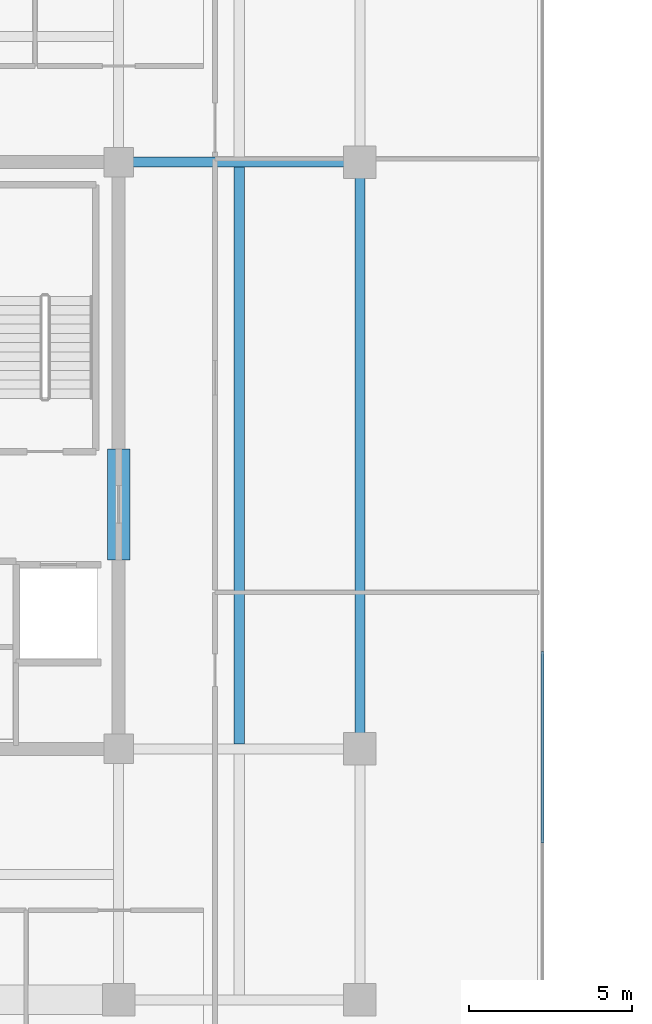
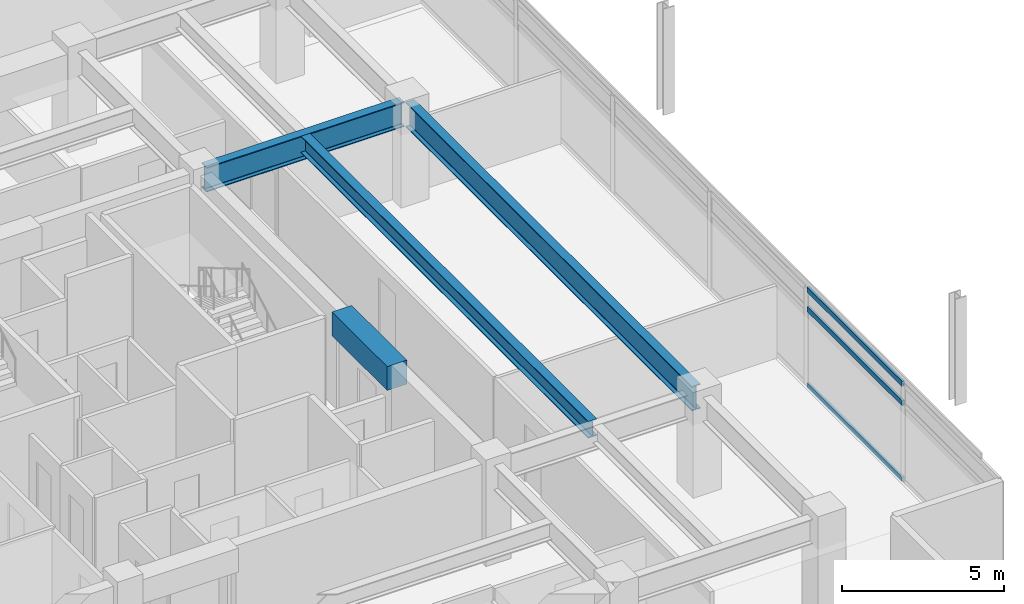
# One storey, part 6 of 18: 4 beams, 3 members, 1 element without a shape of its own.
"""IFC4 building model written with IfcOpenShell, lengths in metres."""

import ifcopenshell
import ifcopenshell.guid

model = None  # the IFC model being written
_history = None  # IfcOwnerHistory: only IFC2X3 demands one
_inside = {}  # id of a spatial element -> (the spatial element, [elements in it])
_under = {}  # id of a project, library or spatial element -> (it, [spatial elements below it])
_declared = {}  # id of a project -> (the project, [libraries it declares])
_typed = {}  # id of a type object -> (the type object, [elements of that type])
_made_of = {}  # id of a material, layer set ... -> (it, [elements and type objects made of it])


def new_model(schema):
    """Start an empty IFC model of exactly this schema.

    Asked for "IFC4X3", IfcOpenShell would pick the latest addendum, in which some entities
    have other attributes; the version numbers below select the first issue.
    IFC2X3 requires an IfcOwnerHistory on every rooted entity: one is made here for all.
    """
    global model, _history
    if schema == "IFC4X3":
        model = ifcopenshell.file(schema_version=(4, 3, 0, 0))
    else:
        model = ifcopenshell.file(schema=schema)
    _inside.clear()
    _under.clear()
    _declared.clear()
    _typed.clear()
    _made_of.clear()
    _history = None
    if model.schema == "IFC2X3":
        org = make("IfcOrganization", Name="unknown")
        user = make(
            "IfcPersonAndOrganization",
            ThePerson=make("IfcPerson", FamilyName="unknown"),
            TheOrganization=org,
        )
        app = make(
            "IfcApplication",
            ApplicationDeveloper=org,
            Version="unknown",
            ApplicationFullName="unknown",
            ApplicationIdentifier="unknown",
        )
        _history = make(
            "IfcOwnerHistory",
            OwningUser=user,
            OwningApplication=app,
            ChangeAction="ADDED",
            CreationDate=0,
        )
    return model


def make(cls, **values):
    """One entity of the class cls with the attributes given. An attribute that is None is left unset."""
    return model.create_entity(
        cls, **{name: value for name, value in values.items() if value is not None}
    )


def rooted(cls, **values):
    """An entity with a GlobalId (a new one), such as an element, a storey or a relation."""
    return make(cls, GlobalId=ifcopenshell.guid.new(), OwnerHistory=_history, **values)


def si_unit(unit_type, name, prefix=None):
    """IfcSIUnit, for example si_unit("LENGTHUNIT", "METRE", prefix="MILLI")."""
    return make("IfcSIUnit", UnitType=unit_type, Prefix=prefix, Name=name)


def assignment(units):
    """IfcUnitAssignment: the units of a project."""
    return None if units is None else make("IfcUnitAssignment", Units=units)


def point(xyz):
    """IfcCartesianPoint."""
    return None if xyz is None else make("IfcCartesianPoint", Coordinates=xyz)


def direction(xyz):
    """IfcDirection."""
    return None if xyz is None else make("IfcDirection", DirectionRatios=xyz)


def frame(location, z_axis=None, x_axis=None):
    """IfcAxis2Placement3D, a coordinate frame: its origin and axes. An axis left out is left unset."""
    return make(
        "IfcAxis2Placement3D",
        Location=point(location),
        Axis=direction(z_axis),
        RefDirection=direction(x_axis),
    )


def frame_2d(location, x_axis=None):
    """IfcAxis2Placement2D, a coordinate frame in the plane: its origin and x axis."""
    return make(
        "IfcAxis2Placement2D", Location=point(location), RefDirection=direction(x_axis)
    )


def origin():
    """The frame at (0, 0, 0) with its axes left unset."""
    return frame((0.0, 0.0, 0.0))


def origin_2d():
    """The frame at (0, 0) in the plane with its x axis left unset."""
    return frame_2d((0.0, 0.0))


def place(relative_to, where):
    """IfcLocalPlacement: puts the frame where relative to a parent placement (None: the world)."""
    return make(
        "IfcLocalPlacement", PlacementRelTo=relative_to, RelativePlacement=where
    )


def context(
    kind, dimensions, precision=None, world=None, true_north=None, identifier=None
):
    """IfcGeometricRepresentationContext, for example the 3D "Model" context."""
    return make(
        "IfcGeometricRepresentationContext",
        ContextIdentifier=identifier,
        ContextType=kind,
        CoordinateSpaceDimension=dimensions,
        Precision=precision,
        WorldCoordinateSystem=world,
        TrueNorth=true_north,
    )


def subcontext(parent, identifier, kind, view, scale=None):
    """IfcGeometricRepresentationSubContext, for example "Body" below "Model"."""
    return make(
        "IfcGeometricRepresentationSubContext",
        ContextIdentifier=identifier,
        ContextType=kind,
        ParentContext=parent,
        TargetScale=scale,
        TargetView=view,
    )


def project(units=None, contexts=None):
    """IfcProject with its units and contexts."""
    return rooted(
        "IfcProject",
        Name="project",
        RepresentationContexts=contexts,
        UnitsInContext=assignment(units),
    )


def spatial(cls, under=None, at=None, **own):
    """A site, building, storey or space (cls), placed at a placement, below another one or the project."""
    s = rooted(cls, ObjectPlacement=at, **own)
    if under is not None:
        _under.setdefault(under.id(), (under, []))[1].append(s)
    return s


def profile(cls, at=None, kind="AREA", **sizes):
    """A parametric profile (cls). Its sizes go by their IFC names, for example OverallWidth=200.0."""
    return make(cls, ProfileType=kind, Position=at, **sizes)


def rectangle(**sizes):
    """IfcRectangleProfileDef."""
    return profile("IfcRectangleProfileDef", **sizes)


def hollow_rectangle(**sizes):
    """IfcRectangleHollowProfileDef."""
    return profile("IfcRectangleHollowProfileDef", **sizes)


def i_section(**sizes):
    """IfcIShapeProfileDef."""
    return profile("IfcIShapeProfileDef", **sizes)


def extrude(swept, where, along, depth):
    """IfcExtrudedAreaSolid: the profile swept, set in the frame where, extruded along a direction by depth."""
    return make(
        "IfcExtrudedAreaSolid",
        SweptArea=swept,
        Position=where,
        ExtrudedDirection=direction(along),
        Depth=depth,
    )


def shape(context_of_items, identifier, shape_type, items):
    """IfcShapeRepresentation: the items that make up one representation, for example the "Body"."""
    return make(
        "IfcShapeRepresentation",
        ContextOfItems=context_of_items,
        RepresentationIdentifier=identifier,
        RepresentationType=shape_type,
        Items=items,
    )


def material(Name=None, Category=None):
    """IfcMaterial."""
    return make("IfcMaterial", Name=Name, Category=Category)


def material_profile(
    of_material, cross_section, Name=None, Category=None, Priority=None
):
    """IfcMaterialProfile: a cross section and its material."""
    return make(
        "IfcMaterialProfile",
        Name=Name,
        Material=of_material,
        Profile=cross_section,
        Priority=Priority,
        Category=Category,
    )


def profile_set(profiles, Name=None, composite=None):
    """IfcMaterialProfileSet."""
    return make(
        "IfcMaterialProfileSet",
        Name=Name,
        MaterialProfiles=profiles,
        CompositeProfile=composite,
    )


def made_of(thing, what):
    """Note that an element or type object is made of a material, layer set ...; save() writes the relation."""
    if what is not None:
        _made_of.setdefault(what.id(), (what, []))[1].append(thing)
    return thing


def type_object(cls, material=None, **own):
    """A type object (cls), such as IfcWallType, which elements share."""
    return made_of(rooted(cls, **own), material)


def element(
    cls,
    number,
    at=None,
    inside=None,
    cuts=None,
    type_object=None,
    material=None,
    context=None,
    identifier="Body",
    shape_type=None,
    held_by="IfcProductDefinitionShape",
    body=None,
    shapes=None,
    **own,
):
    """One element of the class cls, such as IfcWall. Its Tag is "e" and its number.

    at: its placement. inside: the storey or other place that contains it. cuts: it is an
    opening in that element (IfcRelVoidsElement). A single representation is given by context,
    identifier, shape_type and body (its items); several are given by shapes. held_by: the class
    of the entity that holds the representations. save() writes the other relations.
    """
    e = rooted(cls, Tag="e%d" % number, ObjectPlacement=at, **own)
    if body is not None:
        shapes = [shape(context, identifier, shape_type, body)]
    if shapes is not None:
        e.Representation = make(held_by, Representations=shapes)
    if inside is not None:
        _inside.setdefault(inside.id(), (inside, []))[1].append(e)
    if cuts is not None:
        rooted(
            "IfcRelVoidsElement", RelatingBuildingElement=cuts, RelatedOpeningElement=e
        )
    if type_object is not None:
        _typed.setdefault(type_object.id(), (type_object, []))[1].append(e)
    return made_of(e, material)


def aggregate(whole, parts):
    """IfcRelAggregates: a whole, such as a stair, and the parts it consists of."""
    return rooted("IfcRelAggregates", RelatingObject=whole, RelatedObjects=parts)


def save(model, path):
    """Write the relations noted so far, then the file.

    IfcRelAggregates (storeys below a building ...), IfcRelContainedInSpatialStructure (elements
    in a storey), IfcRelDefinesByType, IfcRelAssociatesMaterial and IfcRelDeclares: one each for
    every whole, place, type object, material and project.
    """
    for whole, parts in _under.values():
        aggregate(whole, parts)
    for where, things in _inside.values():
        rooted(
            "IfcRelContainedInSpatialStructure",
            RelatedElements=things,
            RelatingStructure=where,
        )
    for kind, things in _typed.values():
        rooted("IfcRelDefinesByType", RelatedObjects=things, RelatingType=kind)
    for what, things in _made_of.values():
        rooted("IfcRelAssociatesMaterial", RelatedObjects=things, RelatingMaterial=what)
    for by, libraries in _declared.values():
        rooted("IfcRelDeclares", RelatingContext=by, RelatedDefinitions=libraries)
    model.write(path)


model = new_model("IFC4")

# Units and contexts
model_context = context("Model", 3, precision=1e-05, world=origin(), true_north=direction((0.0, 1.0)))
body_context = subcontext(model_context, "Body", "Model", "MODEL_VIEW")
ifc_project = project(units=[si_unit("LENGTHUNIT", "METRE"), si_unit("AREAUNIT", "SQUARE_METRE"), si_unit("VOLUMEUNIT", "CUBIC_METRE"), si_unit("PLANEANGLEUNIT", "RADIAN"), si_unit("MASSUNIT", "GRAM", prefix="KILO")], contexts=[model_context])

# Site, building, storey
site_placement = place(None, origin())
site = spatial("IfcSite", under=ifc_project, at=site_placement, CompositionType="ELEMENT")
building_placement = place(site_placement, origin())
building = spatial("IfcBuilding", under=site, at=building_placement, Name="Kovane Verandah Tower", CompositionType="ELEMENT")
storey_placement = place(building_placement, frame((0.0, 0.0, 338.800048828125)))
storey = spatial("IfcBuildingStorey", under=building, at=storey_placement, Name="L79", CompositionType="ELEMENT", Elevation=338.800048828125)

# Beams
ifc_material_1 = material(Name="Concrete C60/75", Category="concrete")
ifc_material_profile_1 = material_profile(ifc_material_1, rectangle(XDim=0.699951171875, YDim=0.89990234375, at=origin_2d()), Name="RCB700x900")
ifc_profile_set_1 = profile_set([ifc_material_profile_1], Name="Concrete C60/75")
beam_type_1 = type_object("IfcBeamType", Name="BM-LINTEL-700x900", PredefinedType="LINTEL", material=ifc_profile_set_1)
beam_1_placement = place(storey_placement, frame((51.0, 24.300048828125, 3.25), z_axis=(0.0, 1.0, 0.0), x_axis=(-1.0, 0.0, 0.0)))
element("IfcBeam", 1, at=beam_1_placement, inside=storey, type_object=beam_type_1, Name="L79 Core Coupling Lintel CL-E", PredefinedType="LINTEL", context=body_context, shape_type="SweptSolid", body=[
    extrude(rectangle(XDim=0.699951171875, YDim=0.89990234375, at=origin_2d()), origin(), (0.0, 0.0, 1.0), 3.39990234375),
])
ifc_material_2 = material(Name="Steel S460", Category="steel")
ifc_material_profile_2 = material_profile(ifc_material_2, i_section(OverallWidth=0.311279296875, OverallDepth=0.6357421875, WebThickness=0.018310546875, FlangeThickness=0.031494140625, FilletRadius=0.0166015625, at=origin_2d()), Name="UB610x305x238")
ifc_profile_set_2 = profile_set([ifc_material_profile_2], Name="Steel S460")
beam_type_2 = type_object("IfcBeamType", Name="BM-UB610x238", PredefinedType="BEAM", material=ifc_profile_set_2)
beam_2_placement = place(storey_placement, frame((54.699951171875, 18.65185546875, 3.382080078125), z_axis=(0.0, 1.0, 0.0), x_axis=(-1.0, 0.0, 0.0)))
element("IfcBeam", 2, at=beam_2_placement, inside=storey, type_object=beam_type_2, Name="L79 Secondary Composite Joist J-E1", PredefinedType="BEAM", context=body_context, shape_type="SweptSolid", body=[
    extrude(i_section(OverallWidth=0.311279296875, OverallDepth=0.6357421875, WebThickness=0.018310546875, FlangeThickness=0.031494140625, FilletRadius=0.0166015625, at=origin_2d()), origin(), (0.0, 0.0, 1.0), 17.6962890625),
])
ifc_material_profile_3 = material_profile(ifc_material_2, i_section(OverallWidth=0.3076171875, OverallDepth=0.926513671875, WebThickness=0.01953125, FlangeThickness=0.031982421875, FilletRadius=0.01904296875, at=origin_2d()), Name="UB914x305x289")
ifc_profile_set_3 = profile_set([ifc_material_profile_3], Name="Steel S460")
beam_type_3 = type_object("IfcBeamType", Name="BM-UB914x289", PredefinedType="BEAM", material=ifc_profile_set_3)
beam_3_placement = place(storey_placement, frame((58.39990234375, 18.679931640625, 3.236572265625), z_axis=(0.0, 1.0, 0.0), x_axis=(-1.0, 0.0, 0.0)))
element("IfcBeam", 3, at=beam_3_placement, inside=storey, type_object=beam_type_3, Name="L79 Primary Tower Girder G-RE2", PredefinedType="BEAM", context=body_context, shape_type="SweptSolid", body=[
    extrude(i_section(OverallWidth=0.3076171875, OverallDepth=0.926513671875, WebThickness=0.01953125, FlangeThickness=0.031982421875, FilletRadius=0.01904296875, at=origin_2d()), origin(), (0.0, 0.0, 1.0), 17.64013671875),
])
beam_4_placement = place(storey_placement, frame((51.179931640625, 36.5, 3.236572265625), z_axis=(1.0, 0.0, 0.0), x_axis=(0.0, 1.0, 0.0)))
element("IfcBeam", 4, at=beam_4_placement, inside=storey, type_object=beam_type_3, Name="L79 Primary Tower Girder G-E2", PredefinedType="BEAM", context=body_context, shape_type="SweptSolid", body=[
    extrude(i_section(OverallWidth=0.3076171875, OverallDepth=0.926513671875, WebThickness=0.01953125, FlangeThickness=0.031982421875, FilletRadius=0.01904296875, at=origin_2d()), origin(), (0.0, 0.0, 1.0), 7.0400390625),
])

# Curtain wall, members
ifc_material_3 = material(Name="Champagne Anodised Aluminium Frame with Low-E Clear Laminated Glass", Category="aluminium")
curtain_wall_type = type_object("IfcCurtainWallType", Name="CW-SYS-05-HIGH", PredefinedType="NOTDEFINED", material=ifc_material_3)
curtain_wall_placement = place(storey_placement, origin())
curtain_wall = element("IfcCurtainWall", 5, at=curtain_wall_placement, inside=storey, type_object=curtain_wall_type, Name="L79 E Unitised Curtain Wall", PredefinedType="NOTDEFINED")
ifc_material_4 = material(Name="Champagne Anodised Aluminium 6063-T6", Category="aluminium")
ifc_material_profile_4 = material_profile(ifc_material_4, hollow_rectangle(XDim=0.0849609375, YDim=0.18994140625, WallThickness=0.00390625, at=origin_2d()), Name="AL85x190x4")
ifc_profile_set_4 = profile_set([ifc_material_profile_4], Name="Champagne Anodised Aluminium 6063-T6")
member_type = type_object("IfcMemberType", Name="CW-TRN-85x190", PredefinedType="USERDEFINED", material=ifc_profile_set_4)
member_1_placement = place(storey_placement, frame((64.0, 15.61669921875, 0.050048828125), z_axis=(0.0, 1.0, 0.0), x_axis=(-1.0, 0.0, 0.0)))
member_1 = element("IfcMember", 6, at=member_1_placement, type_object=member_type, Name="L79 E Unitised Curtain Wall Transom TB Bay 2", ObjectType="TRANSOM", PredefinedType="USERDEFINED", context=body_context, shape_type="SweptSolid", body=[
    extrude(hollow_rectangle(XDim=0.0849609375, YDim=0.18994140625, WallThickness=0.00390625, at=origin_2d()), origin(), (0.0, 0.0, 1.0), 5.86669921875),
])
member_2_placement = place(storey_placement, frame((64.0, 15.61669921875, 2.919921875), z_axis=(0.0, 1.0, 0.0), x_axis=(-1.0, 0.0, 0.0)))
member_2 = element("IfcMember", 7, at=member_2_placement, type_object=member_type, Name="L79 E Unitised Curtain Wall Transom TM Bay 2", ObjectType="TRANSOM", PredefinedType="USERDEFINED", context=body_context, shape_type="SweptSolid", body=[
    extrude(hollow_rectangle(XDim=0.0849609375, YDim=0.18994140625, WallThickness=0.00390625, at=origin_2d()), origin(), (0.0, 0.0, 1.0), 5.86669921875),
])
member_3_placement = place(storey_placement, frame((64.0, 15.61669921875, 3.64990234375), z_axis=(0.0, 1.0, 0.0), x_axis=(-1.0, 0.0, 0.0)))
member_3 = element("IfcMember", 8, at=member_3_placement, type_object=member_type, Name="L79 E Unitised Curtain Wall Transom TT Bay 2", ObjectType="TRANSOM", PredefinedType="USERDEFINED", context=body_context, shape_type="SweptSolid", body=[
    extrude(hollow_rectangle(XDim=0.0849609375, YDim=0.18994140625, WallThickness=0.00390625, at=origin_2d()), origin(), (0.0, 0.0, 1.0), 5.86669921875),
])
aggregate(curtain_wall, [member_1, member_2, member_3])

save(model, "model.ifc")
